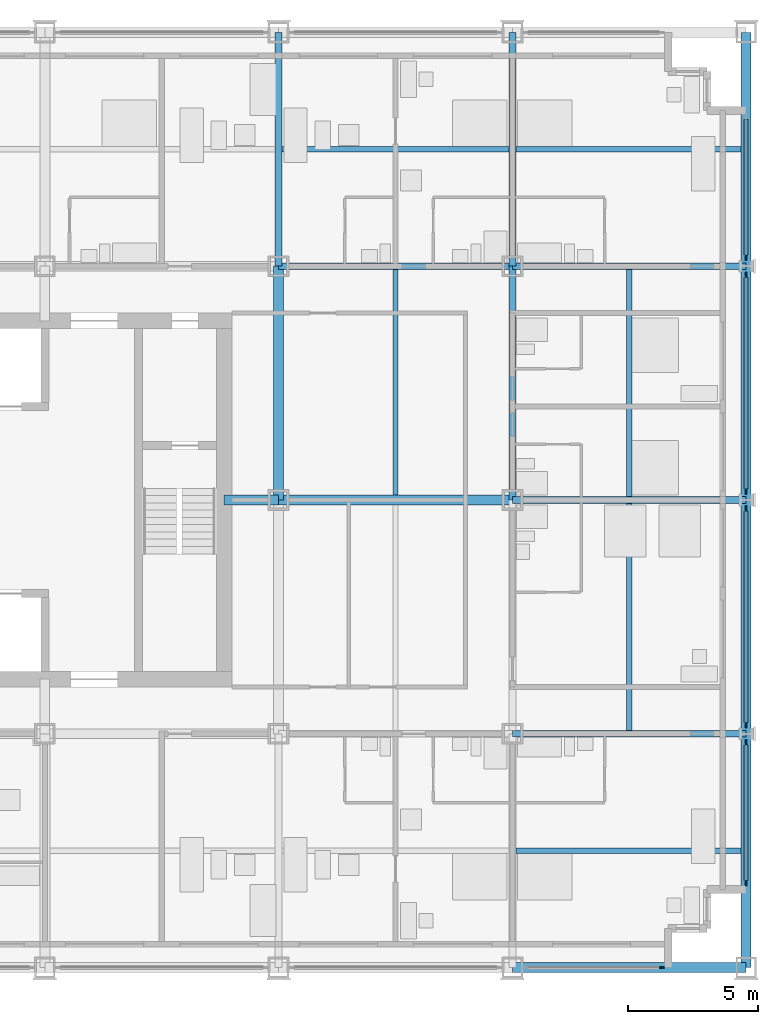
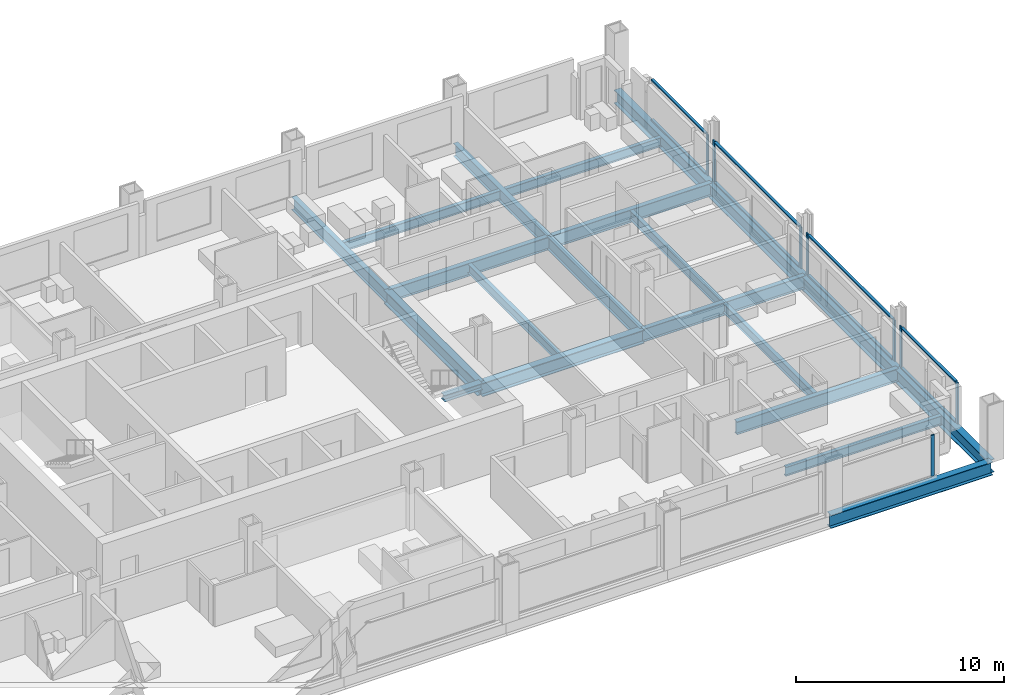
# One storey, part 6 of 18: 20 beams, 17 members, 5 elements without a shape of their own.
"""IFC4 building model written with IfcOpenShell, lengths in metres."""

from ifc_helpers import new_model, si_unit, direction, frame, origin, origin_2d, place, context, subcontext, project, spatial, rectangle, i_section, extrude, material, material_profile, profile_set, type_object, element, aggregate, save


model = new_model("IFC4")

# Units and contexts
model_context = context("Model", 3, precision=1e-05, world=origin(), true_north=direction((0.0, 1.0)))
body_context = subcontext(model_context, "Body", "Model", "MODEL_VIEW")
ifc_project = project(units=[si_unit("LENGTHUNIT", "METRE"), si_unit("AREAUNIT", "SQUARE_METRE"), si_unit("VOLUMEUNIT", "CUBIC_METRE"), si_unit("PLANEANGLEUNIT", "RADIAN"), si_unit("MASSUNIT", "GRAM", prefix="KILO")], contexts=[model_context])

# Site, building, storey
site_placement = place(None, origin())
site = spatial("IfcSite", under=ifc_project, at=site_placement, CompositionType="ELEMENT")
building_placement = place(site_placement, origin())
building = spatial("IfcBuilding", under=site, at=building_placement, Name="Loomwork Tower", CompositionType="ELEMENT")
storey_placement = place(building_placement, frame((0.0, 0.0, 75.60009765625)))
storey = spatial("IfcBuildingStorey", under=building, at=storey_placement, Name="L19", CompositionType="ELEMENT", Elevation=75.60009765625)

# Beams
ifc_material_1 = material(Name="Steel ASTM A992", Category="steel")
ifc_material_profile_1 = material_profile(ifc_material_1, i_section(OverallWidth=0.383544921875, OverallDepth=0.794921875, WebThickness=0.02099609375, FlangeThickness=0.0380859375, at=origin_2d()), Name="W30x235")
ifc_profile_set_1 = profile_set([ifc_material_profile_1], Name="Steel ASTM A992")
beam_type_1 = type_object("IfcBeamType", Name="CORE FLANK GIRDER W30x235", PredefinedType="BEAM", material=ifc_profile_set_1)
for number, where, z_axis, x_axis, name in (
    (1, (36.0, 18.0, -0.59765625), (1.0, 0.0, 0.0), (0.0, 1.0, 0.0), "Core Flank Girder F/6-F/7 L19"),
    (2, (36.0, 18.0, -0.59765625), (0.0, 1.0, 0.0), (-1.0, 0.0, 0.0), "Core Flank Girder F/6-G/6 L19"),
):
    element("IfcBeam", number, at=place(storey_placement, frame(where, z_axis=z_axis, x_axis=x_axis)), inside=storey, type_object=beam_type_1, Name=name, PredefinedType="BEAM", context=body_context, shape_type="SweptSolid", body=[
        extrude(i_section(OverallWidth=0.383544921875, OverallDepth=0.794921875, WebThickness=0.02099609375, FlangeThickness=0.0380859375, at=origin_2d()), origin(), (0.0, 0.0, 1.0), 9.0),
    ])

# Member
ifc_material_2 = material(Name="Steel ASTM A992", Category="steel")
ifc_material_profile_2 = material_profile(ifc_material_2, i_section(OverallWidth=0.373291015625, OverallDepth=0.373291015625, WebThickness=0.016357421875, FlangeThickness=0.026123046875, at=origin_2d()), Name="W14x132")
ifc_profile_set_2 = profile_set([ifc_material_profile_2], Name="Steel ASTM A992")
member_type_1 = type_object("IfcMemberType", Name="CORE LINK STRUT W14x132", PredefinedType="STRUT", material=ifc_profile_set_2)
member_1_placement = place(storey_placement, frame((36.0, 18.0, -0.38671875), z_axis=(-1.0, 0.0, 0.0), x_axis=(0.0, -1.0, 0.0)))
element("IfcMember", 3, at=member_1_placement, inside=storey, type_object=member_type_1, Name="Core link strut F/6-33.900,18.000 L19", PredefinedType="STRUT", context=body_context, shape_type="SweptSolid", body=[
    extrude(i_section(OverallWidth=0.373291015625, OverallDepth=0.373291015625, WebThickness=0.016357421875, FlangeThickness=0.026123046875, at=origin_2d()), origin(), (0.0, 0.0, 1.0), 2.10009765625),
])

# Beams
ifc_material_3 = material(Name="Steel ASTM A992", Category="steel")
ifc_material_profile_3 = material_profile(ifc_material_3, i_section(OverallWidth=0.2666015625, OverallDepth=0.761962890625, WebThickness=0.014404296875, FlangeThickness=0.021484375, at=origin_2d()), Name="W30x116")
ifc_profile_set_3 = profile_set([ifc_material_profile_3], Name="Steel ASTM A992")
beam_type_2 = type_object("IfcBeamType", Name="FLOOR GIRDER W30x116", PredefinedType="BEAM", material=ifc_profile_set_3)
for number, where, z_axis, x_axis, name in (
    (4, (45.0, 9.0, -0.5810546875), (1.0, 0.0, 0.0), (0.0, 1.0, 0.0), "Floor Girder E/7-E/8 L19"),
    (5, (45.0, 18.0, -0.5810546875), (1.0, 0.0, 0.0), (0.0, 1.0, 0.0), "Floor Girder F/7-F/8 L19"),
    (6, (36.0, 27.0, -0.5810546875), (1.0, 0.0, 0.0), (0.0, 1.0, 0.0), "Floor Girder G/6-G/7 L19"),
    (7, (45.0, 27.0, -0.5810546875), (1.0, 0.0, 0.0), (0.0, 1.0, 0.0), "Floor Girder G/7-G/8 L19"),
    (8, (36.0, 27.0, -0.5810546875), (0.0, 1.0, 0.0), (-1.0, 0.0, 0.0), "Floor Girder G/6-H/6 L19"),
    (9, (45.0, 18.0, -0.5810546875), (0.0, 1.0, 0.0), (-1.0, 0.0, 0.0), "Floor Girder F/7-G/7 L19"),
    (10, (45.0, 27.0, -0.5810546875), (0.0, 1.0, 0.0), (-1.0, 0.0, 0.0), "Floor Girder G/7-H/7 L19"),
):
    element("IfcBeam", number, at=place(storey_placement, frame(where, z_axis=z_axis, x_axis=x_axis)), inside=storey, type_object=beam_type_2, Name=name, PredefinedType="BEAM", context=body_context, shape_type="SweptSolid", body=[
        extrude(i_section(OverallWidth=0.2666015625, OverallDepth=0.761962890625, WebThickness=0.014404296875, FlangeThickness=0.021484375, at=origin_2d()), origin(), (0.0, 0.0, 1.0), 9.0),
    ])
ifc_material_4 = material(Name="Steel ASTM A992", Category="steel")
ifc_material_profile_4 = material_profile(ifc_material_4, i_section(OverallWidth=0.2109375, OverallDepth=0.53857421875, WebThickness=0.011474609375, FlangeThickness=0.018798828125, at=origin_2d()), Name="W21x73")
ifc_profile_set_4 = profile_set([ifc_material_profile_4], Name="Steel ASTM A992")
beam_type_3 = type_object("IfcBeamType", Name="FLOOR JOIST W21x73", PredefinedType="JOIST", material=ifc_profile_set_4)
beam_1_placement = place(storey_placement, frame((40.5, 18.19091796875, -0.46923828125), z_axis=(0.0, 1.0, 0.0), x_axis=(-1.0, 0.0, 0.0)))
element("IfcBeam", 11, at=beam_1_placement, inside=storey, type_object=beam_type_3, Name="Floor Joist 40.500,18.000-40.500,27.000 L19", PredefinedType="JOIST", context=body_context, shape_type="SweptSolid", body=[
    extrude(i_section(OverallWidth=0.2109375, OverallDepth=0.53857421875, WebThickness=0.011474609375, FlangeThickness=0.018798828125, at=origin_2d()), origin(), (0.0, 0.0, 1.0), 8.676025390625),
])
beam_2_placement = place(storey_placement, frame((36.133056640625, 31.5, -0.46923828125), z_axis=(1.0, 0.0, 0.0), x_axis=(0.0, 1.0, 0.0)))
element("IfcBeam", 12, at=beam_2_placement, inside=storey, type_object=beam_type_3, Name="Floor Joist 36.000,31.500-45.000,31.500 L19", PredefinedType="JOIST", context=body_context, shape_type="SweptSolid", body=[
    extrude(i_section(OverallWidth=0.2109375, OverallDepth=0.53857421875, WebThickness=0.011474609375, FlangeThickness=0.018798828125, at=origin_2d()), origin(), (0.0, 0.0, 1.0), 8.73388671875),
])
beam_3_placement = place(storey_placement, frame((45.133056640625, 4.5, -0.46923828125), z_axis=(1.0, 0.0, 0.0), x_axis=(0.0, 1.0, 0.0)))
element("IfcBeam", 13, at=beam_3_placement, inside=storey, type_object=beam_type_3, Name="Floor Joist 45.000,4.500-54.000,4.500 L19", PredefinedType="JOIST", context=body_context, shape_type="SweptSolid", body=[
    extrude(i_section(OverallWidth=0.2109375, OverallDepth=0.53857421875, WebThickness=0.011474609375, FlangeThickness=0.018798828125, at=origin_2d()), origin(), (0.0, 0.0, 1.0), 8.677001953125),
])
for number, where, z_axis, x_axis, name in (
    (14, (49.5, 9.133056640625, -0.46923828125), (0.0, 1.0, 0.0), (-1.0, 0.0, 0.0), "Floor Joist 49.500,9.000-49.500,18.000 L19"),
    (15, (49.5, 18.133056640625, -0.46923828125), (0.0, 1.0, 0.0), (-1.0, 0.0, 0.0), "Floor Joist 49.500,18.000-49.500,27.000 L19"),
):
    element("IfcBeam", number, at=place(storey_placement, frame(where, z_axis=z_axis, x_axis=x_axis)), inside=storey, type_object=beam_type_3, Name=name, PredefinedType="JOIST", context=body_context, shape_type="SweptSolid", body=[
        extrude(i_section(OverallWidth=0.2109375, OverallDepth=0.53857421875, WebThickness=0.011474609375, FlangeThickness=0.018798828125, at=origin_2d()), origin(), (0.0, 0.0, 1.0), 8.73388671875),
    ])
beam_4_placement = place(storey_placement, frame((45.133056640625, 31.5, -0.46923828125), z_axis=(1.0, 0.0, 0.0), x_axis=(0.0, 1.0, 0.0)))
element("IfcBeam", 16, at=beam_4_placement, inside=storey, type_object=beam_type_3, Name="Floor Joist 45.000,31.500-54.000,31.500 L19", PredefinedType="JOIST", context=body_context, shape_type="SweptSolid", body=[
    extrude(i_section(OverallWidth=0.2109375, OverallDepth=0.53857421875, WebThickness=0.011474609375, FlangeThickness=0.018798828125, at=origin_2d()), origin(), (0.0, 0.0, 1.0), 8.677001953125),
])

# Curtain wall, member
ifc_material_5 = material(Name="Aluminium curtain wall frame", Category="aluminium")
curtain_wall_type = type_object("IfcCurtainWallType", Name="Outer skin glazing hotel", PredefinedType="NOTDEFINED", material=ifc_material_5)
curtain_wall_1_placement = place(storey_placement, origin())
curtain_wall_1 = element("IfcCurtainWall", 17, at=curtain_wall_1_placement, inside=storey, type_object=curtain_wall_type, Name="Outer skin glazing hotel cw/S-45", PredefinedType="NOTDEFINED")
ifc_material_6 = material(Name="Aluminium curtain wall frame", Category="aluminium")
ifc_material_profile_5 = material_profile(ifc_material_6, rectangle(XDim=0.06494140625, YDim=0.199951171875, at=origin_2d()), Name="AL 65x200")
ifc_profile_set_5 = profile_set([ifc_material_profile_5], Name="Aluminium curtain wall frame")
member_type_2 = type_object("IfcMemberType", Name="Outer skin glazing hotel mullion", PredefinedType="MULLION", material=ifc_profile_set_5)
member_2_placement = place(storey_placement, frame((50.75, 0.0, 0.0), z_axis=(0.0, 0.0, 1.0), x_axis=(0.0, 1.0, 0.0)))
member_2 = element("IfcMember", 18, at=member_2_placement, type_object=member_type_2, Name="CW1 mullion 2", PredefinedType="MULLION", context=body_context, shape_type="SweptSolid", body=[
    extrude(rectangle(XDim=0.06494140625, YDim=0.199951171875, at=origin_2d()), origin(), (0.0, 0.0, 1.0), 2.420166015625),
])
aggregate(curtain_wall_1, [member_2])

# Curtain wall, members
curtain_wall_2_placement = place(storey_placement, origin())
curtain_wall_2 = element("IfcCurtainWall", 19, at=curtain_wall_2_placement, inside=storey, type_object=curtain_wall_type, Name="Outer skin glazing hotel cw/E-0", PredefinedType="NOTDEFINED")
member_3_placement = place(storey_placement, frame((54.0, 3.25, 0.0), z_axis=(0.0, 0.0, 1.0), x_axis=(-1.0, 0.0, 0.0)))
member_3 = element("IfcMember", 20, at=member_3_placement, type_object=member_type_2, Name="CW1 mullion 1", PredefinedType="MULLION", context=body_context, shape_type="SweptSolid", body=[
    extrude(rectangle(XDim=0.06494140625, YDim=0.199951171875, at=origin_2d()), origin(), (0.0, 0.0, 1.0), 2.420166015625),
])
member_4_placement = place(storey_placement, frame((54.0, 8.672607421875, 0.0), z_axis=(0.0, 0.0, 1.0), x_axis=(-1.0, 0.0, 0.0)))
member_4 = element("IfcMember", 21, at=member_4_placement, type_object=member_type_2, Name="CW1 mullion 2", PredefinedType="MULLION", context=body_context, shape_type="SweptSolid", body=[
    extrude(rectangle(XDim=0.06494140625, YDim=0.199951171875, at=origin_2d()), origin(), (0.0, 0.0, 1.0), 2.420166015625),
])

curtain_wall_3_placement = place(storey_placement, origin())
curtain_wall_3 = element("IfcCurtainWall", 22, at=curtain_wall_3_placement, inside=storey, type_object=curtain_wall_type, Name="Outer skin glazing hotel cw/E-9", PredefinedType="NOTDEFINED")
member_5_placement = place(storey_placement, frame((54.0, 9.327392578125, 0.0), z_axis=(0.0, 0.0, 1.0), x_axis=(-1.0, 0.0, 0.0)))
member_5 = element("IfcMember", 23, at=member_5_placement, type_object=member_type_2, Name="CW1 mullion 1", PredefinedType="MULLION", context=body_context, shape_type="SweptSolid", body=[
    extrude(rectangle(XDim=0.06494140625, YDim=0.199951171875, at=origin_2d()), origin(), (0.0, 0.0, 1.0), 2.420166015625),
])
member_6_placement = place(storey_placement, frame((54.0, 17.672607421875, 0.0), z_axis=(0.0, 0.0, 1.0), x_axis=(-1.0, 0.0, 0.0)))
member_6 = element("IfcMember", 24, at=member_6_placement, type_object=member_type_2, Name="CW1 mullion 2", PredefinedType="MULLION", context=body_context, shape_type="SweptSolid", body=[
    extrude(rectangle(XDim=0.06494140625, YDim=0.199951171875, at=origin_2d()), origin(), (0.0, 0.0, 1.0), 2.420166015625),
])

curtain_wall_4_placement = place(storey_placement, origin())
curtain_wall_4 = element("IfcCurtainWall", 25, at=curtain_wall_4_placement, inside=storey, type_object=curtain_wall_type, Name="Outer skin glazing hotel cw/E-18", PredefinedType="NOTDEFINED")
member_7_placement = place(storey_placement, frame((54.0, 18.327392578125, 0.0), z_axis=(0.0, 0.0, 1.0), x_axis=(-1.0, 0.0, 0.0)))
member_7 = element("IfcMember", 26, at=member_7_placement, type_object=member_type_2, Name="CW1 mullion 1", PredefinedType="MULLION", context=body_context, shape_type="SweptSolid", body=[
    extrude(rectangle(XDim=0.06494140625, YDim=0.199951171875, at=origin_2d()), origin(), (0.0, 0.0, 1.0), 2.420166015625),
])
member_8_placement = place(storey_placement, frame((54.0, 26.672607421875, 0.0), z_axis=(0.0, 0.0, 1.0), x_axis=(-1.0, 0.0, 0.0)))
member_8 = element("IfcMember", 27, at=member_8_placement, type_object=member_type_2, Name="CW1 mullion 2", PredefinedType="MULLION", context=body_context, shape_type="SweptSolid", body=[
    extrude(rectangle(XDim=0.06494140625, YDim=0.199951171875, at=origin_2d()), origin(), (0.0, 0.0, 1.0), 2.420166015625),
])

# Curtain wall, member
curtain_wall_5_placement = place(storey_placement, origin())
curtain_wall_5 = element("IfcCurtainWall", 28, at=curtain_wall_5_placement, inside=storey, type_object=curtain_wall_type, Name="Outer skin glazing hotel cw/E-27", PredefinedType="NOTDEFINED")
member_9_placement = place(storey_placement, frame((54.0, 27.327392578125, 0.0), z_axis=(0.0, 0.0, 1.0), x_axis=(-1.0, 0.0, 0.0)))
member_9 = element("IfcMember", 29, at=member_9_placement, type_object=member_type_2, Name="CW1 mullion 1", PredefinedType="MULLION", context=body_context, shape_type="SweptSolid", body=[
    extrude(rectangle(XDim=0.06494140625, YDim=0.199951171875, at=origin_2d()), origin(), (0.0, 0.0, 1.0), 2.420166015625),
])

# Member
ifc_material_7 = material(Name="Aluminium curtain wall frame", Category="aluminium")
ifc_material_profile_6 = material_profile(ifc_material_7, rectangle(XDim=0.14990234375, YDim=0.06494140625, at=origin_2d()), Name="AL 65x150")
ifc_profile_set_6 = profile_set([ifc_material_profile_6], Name="Aluminium curtain wall frame")
member_type_3 = type_object("IfcMemberType", Name="Outer skin glazing hotel transom", PredefinedType="USERDEFINED", material=ifc_profile_set_6)
member_10_placement = place(storey_placement, frame((54.0, 3.35009765625, 0.032470703125), z_axis=(0.0, 1.0, 0.0), x_axis=(-1.0, 0.0, 0.0)))
member_10 = element("IfcMember", 30, at=member_10_placement, type_object=member_type_3, Name="CW1 transom 1.1", ObjectType="TRANSOM", PredefinedType="USERDEFINED", context=body_context, shape_type="SweptSolid", body=[
    extrude(rectangle(XDim=0.14990234375, YDim=0.06494140625, at=origin_2d()), origin(), (0.0, 0.0, 1.0), 5.22265625),
])

member_11_placement = place(storey_placement, frame((54.0, 3.35009765625, 2.3876953125), z_axis=(0.0, 1.0, 0.0), x_axis=(-1.0, 0.0, 0.0)))
member_11 = element("IfcMember", 31, at=member_11_placement, type_object=member_type_3, Name="CW1 transom 1.2", ObjectType="TRANSOM", PredefinedType="USERDEFINED", context=body_context, shape_type="SweptSolid", body=[
    extrude(rectangle(XDim=0.14990234375, YDim=0.06494140625, at=origin_2d()), origin(), (0.0, 0.0, 1.0), 5.22265625),
])

aggregate(curtain_wall_2, [member_3, member_4, member_10, member_11])

member_12_placement = place(storey_placement, frame((54.0, 9.42724609375, 0.032470703125), z_axis=(0.0, 1.0, 0.0), x_axis=(-1.0, 0.0, 0.0)))
member_12 = element("IfcMember", 32, at=member_12_placement, type_object=member_type_3, Name="CW1 transom 1.1", ObjectType="TRANSOM", PredefinedType="USERDEFINED", context=body_context, shape_type="SweptSolid", body=[
    extrude(rectangle(XDim=0.14990234375, YDim=0.06494140625, at=origin_2d()), origin(), (0.0, 0.0, 1.0), 8.1455078125),
])

member_13_placement = place(storey_placement, frame((54.0, 9.42724609375, 2.3876953125), z_axis=(0.0, 1.0, 0.0), x_axis=(-1.0, 0.0, 0.0)))
member_13 = element("IfcMember", 33, at=member_13_placement, type_object=member_type_3, Name="CW1 transom 1.2", ObjectType="TRANSOM", PredefinedType="USERDEFINED", context=body_context, shape_type="SweptSolid", body=[
    extrude(rectangle(XDim=0.14990234375, YDim=0.06494140625, at=origin_2d()), origin(), (0.0, 0.0, 1.0), 8.1455078125),
])

aggregate(curtain_wall_3, [member_5, member_6, member_12, member_13])

member_14_placement = place(storey_placement, frame((54.0, 18.42724609375, 0.032470703125), z_axis=(0.0, 1.0, 0.0), x_axis=(-1.0, 0.0, 0.0)))
member_14 = element("IfcMember", 34, at=member_14_placement, type_object=member_type_3, Name="CW1 transom 1.1", ObjectType="TRANSOM", PredefinedType="USERDEFINED", context=body_context, shape_type="SweptSolid", body=[
    extrude(rectangle(XDim=0.14990234375, YDim=0.06494140625, at=origin_2d()), origin(), (0.0, 0.0, 1.0), 8.1455078125),
])

member_15_placement = place(storey_placement, frame((54.0, 18.42724609375, 2.3876953125), z_axis=(0.0, 1.0, 0.0), x_axis=(-1.0, 0.0, 0.0)))
member_15 = element("IfcMember", 35, at=member_15_placement, type_object=member_type_3, Name="CW1 transom 1.2", ObjectType="TRANSOM", PredefinedType="USERDEFINED", context=body_context, shape_type="SweptSolid", body=[
    extrude(rectangle(XDim=0.14990234375, YDim=0.06494140625, at=origin_2d()), origin(), (0.0, 0.0, 1.0), 8.1455078125),
])

aggregate(curtain_wall_4, [member_7, member_8, member_14, member_15])

member_16_placement = place(storey_placement, frame((54.0, 27.42724609375, 0.032470703125), z_axis=(0.0, 1.0, 0.0), x_axis=(-1.0, 0.0, 0.0)))
member_16 = element("IfcMember", 36, at=member_16_placement, type_object=member_type_3, Name="CW1 transom 1.1", ObjectType="TRANSOM", PredefinedType="USERDEFINED", context=body_context, shape_type="SweptSolid", body=[
    extrude(rectangle(XDim=0.14990234375, YDim=0.06494140625, at=origin_2d()), origin(), (0.0, 0.0, 1.0), 5.22265625),
])

member_17_placement = place(storey_placement, frame((54.0, 27.42724609375, 2.3876953125), z_axis=(0.0, 1.0, 0.0), x_axis=(-1.0, 0.0, 0.0)))
member_17 = element("IfcMember", 37, at=member_17_placement, type_object=member_type_3, Name="CW1 transom 1.2", ObjectType="TRANSOM", PredefinedType="USERDEFINED", context=body_context, shape_type="SweptSolid", body=[
    extrude(rectangle(XDim=0.14990234375, YDim=0.06494140625, at=origin_2d()), origin(), (0.0, 0.0, 1.0), 5.22265625),
])

aggregate(curtain_wall_5, [member_9, member_16, member_17])

# Beams
ifc_material_8 = material(Name="Steel ASTM A992", Category="steel")
ifc_material_profile_7 = material_profile(ifc_material_8, i_section(OverallWidth=0.381103515625, OverallDepth=0.77978515625, WebThickness=0.01806640625, FlangeThickness=0.0302734375, at=origin_2d()), Name="W30x191")
ifc_profile_set_7 = profile_set([ifc_material_profile_7], Name="Steel ASTM A992")
beam_type_4 = type_object("IfcBeamType", Name="SPANDREL GIRDER W30x191", PredefinedType="SPANDREL", material=ifc_profile_set_7)
for number, where, z_axis, x_axis, name in (
    (38, (45.0, 0.0, -0.590087890625), (1.0, 0.0, 0.0), (0.0, 1.0, 0.0), "Spandrel Girder D/7-D/8 L19"),
    (39, (54.0, 0.0, -0.590087890625), (0.0, 1.0, 0.0), (-1.0, 0.0, 0.0), "Spandrel Girder D/8-E/8 L19"),
    (40, (54.0, 9.0, -0.590087890625), (0.0, 1.0, 0.0), (-1.0, 0.0, 0.0), "Spandrel Girder E/8-F/8 L19"),
    (41, (54.0, 18.0, -0.590087890625), (0.0, 1.0, 0.0), (-1.0, 0.0, 0.0), "Spandrel Girder F/8-G/8 L19"),
    (42, (54.0, 27.0, -0.590087890625), (0.0, 1.0, 0.0), (-1.0, 0.0, 0.0), "Spandrel Girder G/8-H/8 L19"),
):
    element("IfcBeam", number, at=place(storey_placement, frame(where, z_axis=z_axis, x_axis=x_axis)), inside=storey, type_object=beam_type_4, Name=name, PredefinedType="SPANDREL", context=body_context, shape_type="SweptSolid", body=[
        extrude(i_section(OverallWidth=0.381103515625, OverallDepth=0.77978515625, WebThickness=0.01806640625, FlangeThickness=0.0302734375, at=origin_2d()), origin(), (0.0, 0.0, 1.0), 9.0),
    ])

save(model, "model.ifc")
